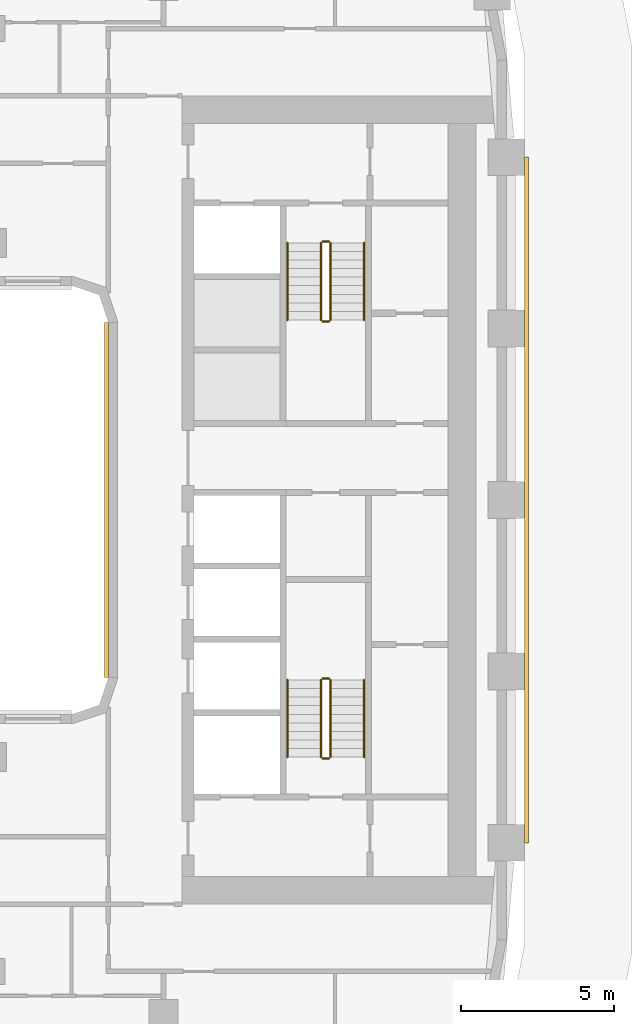
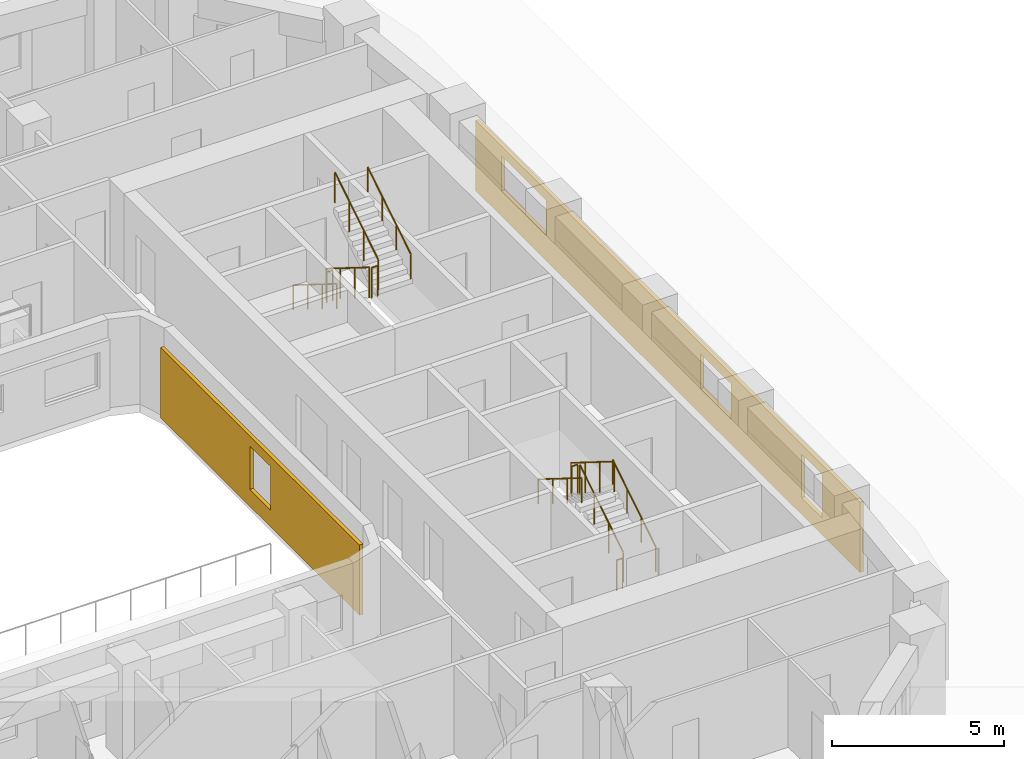
# One storey, part 16 of 18: 12 railings, 2 coverings.
"""IFC4 building model written with IfcOpenShell, lengths in metres."""

import ifcopenshell
import ifcopenshell.guid

model = None  # the IFC model being written
_history = None  # IfcOwnerHistory: only IFC2X3 demands one
_inside = {}  # id of a spatial element -> (the spatial element, [elements in it])
_under = {}  # id of a project, library or spatial element -> (it, [spatial elements below it])
_declared = {}  # id of a project -> (the project, [libraries it declares])
_typed = {}  # id of a type object -> (the type object, [elements of that type])
_made_of = {}  # id of a material, layer set ... -> (it, [elements and type objects made of it])


def new_model(schema):
    """Start an empty IFC model of exactly this schema.

    Asked for "IFC4X3", IfcOpenShell would pick the latest addendum, in which some entities
    have other attributes; the version numbers below select the first issue.
    IFC2X3 requires an IfcOwnerHistory on every rooted entity: one is made here for all.
    """
    global model, _history
    if schema == "IFC4X3":
        model = ifcopenshell.file(schema_version=(4, 3, 0, 0))
    else:
        model = ifcopenshell.file(schema=schema)
    _inside.clear()
    _under.clear()
    _declared.clear()
    _typed.clear()
    _made_of.clear()
    _history = None
    if model.schema == "IFC2X3":
        org = make("IfcOrganization", Name="unknown")
        user = make(
            "IfcPersonAndOrganization",
            ThePerson=make("IfcPerson", FamilyName="unknown"),
            TheOrganization=org,
        )
        app = make(
            "IfcApplication",
            ApplicationDeveloper=org,
            Version="unknown",
            ApplicationFullName="unknown",
            ApplicationIdentifier="unknown",
        )
        _history = make(
            "IfcOwnerHistory",
            OwningUser=user,
            OwningApplication=app,
            ChangeAction="ADDED",
            CreationDate=0,
        )
    return model


def make(cls, **values):
    """One entity of the class cls with the attributes given. An attribute that is None is left unset."""
    return model.create_entity(
        cls, **{name: value for name, value in values.items() if value is not None}
    )


def rooted(cls, **values):
    """An entity with a GlobalId (a new one), such as an element, a storey or a relation."""
    return make(cls, GlobalId=ifcopenshell.guid.new(), OwnerHistory=_history, **values)


def si_unit(unit_type, name, prefix=None):
    """IfcSIUnit, for example si_unit("LENGTHUNIT", "METRE", prefix="MILLI")."""
    return make("IfcSIUnit", UnitType=unit_type, Prefix=prefix, Name=name)


def assignment(units):
    """IfcUnitAssignment: the units of a project."""
    return None if units is None else make("IfcUnitAssignment", Units=units)


def point(xyz):
    """IfcCartesianPoint."""
    return None if xyz is None else make("IfcCartesianPoint", Coordinates=xyz)


def direction(xyz):
    """IfcDirection."""
    return None if xyz is None else make("IfcDirection", DirectionRatios=xyz)


def frame(location, z_axis=None, x_axis=None):
    """IfcAxis2Placement3D, a coordinate frame: its origin and axes. An axis left out is left unset."""
    return make(
        "IfcAxis2Placement3D",
        Location=point(location),
        Axis=direction(z_axis),
        RefDirection=direction(x_axis),
    )


def frame_2d(location, x_axis=None):
    """IfcAxis2Placement2D, a coordinate frame in the plane: its origin and x axis."""
    return make(
        "IfcAxis2Placement2D", Location=point(location), RefDirection=direction(x_axis)
    )


def origin():
    """The frame at (0, 0, 0) with its axes left unset."""
    return frame((0.0, 0.0, 0.0))


def origin_2d():
    """The frame at (0, 0) in the plane with its x axis left unset."""
    return frame_2d((0.0, 0.0))


def place(relative_to, where):
    """IfcLocalPlacement: puts the frame where relative to a parent placement (None: the world)."""
    return make(
        "IfcLocalPlacement", PlacementRelTo=relative_to, RelativePlacement=where
    )


def context(
    kind, dimensions, precision=None, world=None, true_north=None, identifier=None
):
    """IfcGeometricRepresentationContext, for example the 3D "Model" context."""
    return make(
        "IfcGeometricRepresentationContext",
        ContextIdentifier=identifier,
        ContextType=kind,
        CoordinateSpaceDimension=dimensions,
        Precision=precision,
        WorldCoordinateSystem=world,
        TrueNorth=true_north,
    )


def subcontext(parent, identifier, kind, view, scale=None):
    """IfcGeometricRepresentationSubContext, for example "Body" below "Model"."""
    return make(
        "IfcGeometricRepresentationSubContext",
        ContextIdentifier=identifier,
        ContextType=kind,
        ParentContext=parent,
        TargetScale=scale,
        TargetView=view,
    )


def project(units=None, contexts=None):
    """IfcProject with its units and contexts."""
    return rooted(
        "IfcProject",
        Name="project",
        RepresentationContexts=contexts,
        UnitsInContext=assignment(units),
    )


def spatial(cls, under=None, at=None, **own):
    """A site, building, storey or space (cls), placed at a placement, below another one or the project."""
    s = rooted(cls, ObjectPlacement=at, **own)
    if under is not None:
        _under.setdefault(under.id(), (under, []))[1].append(s)
    return s


def polyline(points):
    """IfcPolyline through the points."""
    return make("IfcPolyline", Points=[point(p) for p in points])


def profile(cls, at=None, kind="AREA", **sizes):
    """A parametric profile (cls). Its sizes go by their IFC names, for example OverallWidth=200.0."""
    return make(cls, ProfileType=kind, Position=at, **sizes)


def circle(**sizes):
    """IfcCircleProfileDef."""
    return profile("IfcCircleProfileDef", **sizes)


def outline(outer, holes=None, kind="AREA"):
    """IfcArbitraryClosedProfileDef: a profile drawn as a closed curve; with holes, ...WithVoids."""
    if holes is None:
        return make("IfcArbitraryClosedProfileDef", ProfileType=kind, OuterCurve=outer)
    return make(
        "IfcArbitraryProfileDefWithVoids",
        ProfileType=kind,
        OuterCurve=outer,
        InnerCurves=holes,
    )


def extrude(swept, where, along, depth):
    """IfcExtrudedAreaSolid: the profile swept, set in the frame where, extruded along a direction by depth."""
    return make(
        "IfcExtrudedAreaSolid",
        SweptArea=swept,
        Position=where,
        ExtrudedDirection=direction(along),
        Depth=depth,
    )


def shape(context_of_items, identifier, shape_type, items):
    """IfcShapeRepresentation: the items that make up one representation, for example the "Body"."""
    return make(
        "IfcShapeRepresentation",
        ContextOfItems=context_of_items,
        RepresentationIdentifier=identifier,
        RepresentationType=shape_type,
        Items=items,
    )


def material(Name=None, Category=None):
    """IfcMaterial."""
    return make("IfcMaterial", Name=Name, Category=Category)


def layer(
    of_material, thickness, ventilated=None, Name=None, Category=None, Priority=None
):
    """IfcMaterialLayer: one layer of a wall or slab, of a material (None: an air gap)."""
    return make(
        "IfcMaterialLayer",
        Material=of_material,
        LayerThickness=thickness,
        IsVentilated=ventilated,
        Name=Name,
        Category=Category,
        Priority=Priority,
    )


def layer_set(layers, Name=None):
    """IfcMaterialLayerSet."""
    return make("IfcMaterialLayerSet", MaterialLayers=layers, LayerSetName=Name)


def made_of(thing, what):
    """Note that an element or type object is made of a material, layer set ...; save() writes the relation."""
    if what is not None:
        _made_of.setdefault(what.id(), (what, []))[1].append(thing)
    return thing


def type_object(cls, material=None, **own):
    """A type object (cls), such as IfcWallType, which elements share."""
    return made_of(rooted(cls, **own), material)


def element(
    cls,
    number,
    at=None,
    inside=None,
    cuts=None,
    type_object=None,
    material=None,
    context=None,
    identifier="Body",
    shape_type=None,
    held_by="IfcProductDefinitionShape",
    body=None,
    shapes=None,
    **own,
):
    """One element of the class cls, such as IfcWall. Its Tag is "e" and its number.

    at: its placement. inside: the storey or other place that contains it. cuts: it is an
    opening in that element (IfcRelVoidsElement). A single representation is given by context,
    identifier, shape_type and body (its items); several are given by shapes. held_by: the class
    of the entity that holds the representations. save() writes the other relations.
    """
    e = rooted(cls, Tag="e%d" % number, ObjectPlacement=at, **own)
    if body is not None:
        shapes = [shape(context, identifier, shape_type, body)]
    if shapes is not None:
        e.Representation = make(held_by, Representations=shapes)
    if inside is not None:
        _inside.setdefault(inside.id(), (inside, []))[1].append(e)
    if cuts is not None:
        rooted(
            "IfcRelVoidsElement", RelatingBuildingElement=cuts, RelatedOpeningElement=e
        )
    if type_object is not None:
        _typed.setdefault(type_object.id(), (type_object, []))[1].append(e)
    return made_of(e, material)


def aggregate(whole, parts):
    """IfcRelAggregates: a whole, such as a stair, and the parts it consists of."""
    return rooted("IfcRelAggregates", RelatingObject=whole, RelatedObjects=parts)


def save(model, path):
    """Write the relations noted so far, then the file.

    IfcRelAggregates (storeys below a building ...), IfcRelContainedInSpatialStructure (elements
    in a storey), IfcRelDefinesByType, IfcRelAssociatesMaterial and IfcRelDeclares: one each for
    every whole, place, type object, material and project.
    """
    for whole, parts in _under.values():
        aggregate(whole, parts)
    for where, things in _inside.values():
        rooted(
            "IfcRelContainedInSpatialStructure",
            RelatedElements=things,
            RelatingStructure=where,
        )
    for kind, things in _typed.values():
        rooted("IfcRelDefinesByType", RelatedObjects=things, RelatingType=kind)
    for what, things in _made_of.values():
        rooted("IfcRelAssociatesMaterial", RelatedObjects=things, RelatingMaterial=what)
    for by, libraries in _declared.values():
        rooted("IfcRelDeclares", RelatingContext=by, RelatedDefinitions=libraries)
    model.write(path)


model = new_model("IFC4")

# Units and contexts
model_context = context("Model", 3, precision=1e-05, world=origin(), true_north=direction((0.0, 1.0)))
body_context = subcontext(model_context, "Body", "Model", "MODEL_VIEW")
ifc_project = project(units=[si_unit("LENGTHUNIT", "METRE"), si_unit("AREAUNIT", "SQUARE_METRE"), si_unit("VOLUMEUNIT", "CUBIC_METRE"), si_unit("PLANEANGLEUNIT", "RADIAN"), si_unit("MASSUNIT", "GRAM", prefix="KILO")], contexts=[model_context])

# Site, building, storey
site_placement = place(None, origin())
site = spatial("IfcSite", under=ifc_project, at=site_placement, CompositionType="ELEMENT")
building_placement = place(site_placement, origin())
building = spatial("IfcBuilding", under=site, at=building_placement, Name="Kiln Ring Residences", CompositionType="ELEMENT")
storey_placement = place(building_placement, frame((0.0, 0.0, 121.800048828125)))
storey = spatial("IfcBuildingStorey", under=building, at=storey_placement, Name="L31", CompositionType="ELEMENT", Elevation=121.800048828125)

# Railings
ifc_material_1 = material(Name="Stainless steel", Category="steel")
railing_type_1 = type_object("IfcRailingType", Name="CORE-STAIR-GUARD", PredefinedType="GUARDRAIL", material=ifc_material_1)
railing_1_placement = place(storey_placement, frame((21.949951171875, 8.39990234375, 0.175048828125)))
element("IfcRailing", 1, at=railing_1_placement, inside=storey, type_object=railing_type_1, Name="L31 E-STN stair guard 1", PredefinedType="GUARDRAIL", context=body_context, shape_type="SweptSolid", body=[
    extrude(circle(Radius=0.02392578125, at=origin_2d()), frame((0.0, 0.0, 1.076171875), z_axis=(0.0, -0.848007534815, 0.529984170421), x_axis=(1.0, 0.0, 0.0)), (0.0, 0.0, 1.0), 2.9716796875),
    extrude(circle(Radius=0.02099609375, at=origin_2d()), origin(), (0.0, 0.0, 1.0), 1.052001953125),
    extrude(circle(Radius=0.02099609375, at=origin_2d()), frame((0.0, -0.840087890625, 0.52490234375)), (0.0, 0.0, 1.0), 1.052001953125),
    extrude(circle(Radius=0.02099609375, at=origin_2d()), frame((0.0, -1.679931640625, 1.050048828125)), (0.0, 0.0, 1.0), 1.052001953125),
    extrude(circle(Radius=0.02099609375, at=origin_2d()), frame((0.0, -2.52001953125, 1.574951171875)), (0.0, 0.0, 1.0), 1.052001953125),
])
railing_2_placement = place(storey_placement, frame((22.0, 5.830078125, 1.75)))
element("IfcRailing", 2, at=railing_2_placement, inside=storey, type_object=railing_type_1, Name="L31 E-STN stair guard 2", PredefinedType="GUARDRAIL", context=body_context, shape_type="SweptSolid", body=[
    extrude(circle(Radius=0.02392578125, at=origin_2d()), frame((0.0, 0.0, 1.076171875), z_axis=(1.0, 0.0, 0.0), x_axis=(0.0, 1.0, 0.0)), (0.0, 0.0, 1.0), 0.199951171875),
    extrude(circle(Radius=0.02099609375, at=origin_2d()), origin(), (0.0, 0.0, 1.0), 1.052001953125),
    extrude(circle(Radius=0.02099609375, at=origin_2d()), frame((0.199951171875, 0.0, 0.0)), (0.0, 0.0, 1.0), 1.052001953125),
])
railing_3_placement = place(storey_placement, frame((22.25, 5.8798828125, 1.925048828125)))
element("IfcRailing", 3, at=railing_3_placement, inside=storey, type_object=railing_type_1, Name="L31 E-STN stair guard 3", PredefinedType="GUARDRAIL", context=body_context, shape_type="SweptSolid", body=[
    extrude(circle(Radius=0.02392578125, at=origin_2d()), frame((0.0, 0.0, 1.076171875), z_axis=(0.0, 0.848007534815, 0.529984170421), x_axis=(-1.0, 0.0, 0.0)), (0.0, 0.0, 1.0), 2.9716796875),
    extrude(circle(Radius=0.02099609375, at=origin_2d()), origin(), (0.0, 0.0, 1.0), 1.052001953125),
    extrude(circle(Radius=0.02099609375, at=origin_2d()), frame((0.0, 0.840087890625, 0.52490234375)), (0.0, 0.0, 1.0), 1.052001953125),
    extrude(circle(Radius=0.02099609375, at=origin_2d()), frame((0.0, 1.679931640625, 1.050048828125)), (0.0, 0.0, 1.0), 1.052001953125),
    extrude(circle(Radius=0.02099609375, at=origin_2d()), frame((0.0, 2.52001953125, 1.574951171875)), (0.0, 0.0, 1.0), 1.052001953125),
])
railing_4_placement = place(storey_placement, frame((22.0, 8.449951171875, 0.0)))
element("IfcRailing", 4, at=railing_4_placement, inside=storey, type_object=railing_type_1, Name="L31 E-STN stair guard 4", PredefinedType="GUARDRAIL", context=body_context, shape_type="SweptSolid", body=[
    extrude(circle(Radius=0.02392578125, at=origin_2d()), frame((0.0, 0.0, 1.076171875), z_axis=(1.0, 0.0, 0.0), x_axis=(0.0, 1.0, 0.0)), (0.0, 0.0, 1.0), 0.199951171875),
    extrude(circle(Radius=0.02099609375, at=origin_2d()), origin(), (0.0, 0.0, 1.0), 1.052001953125),
    extrude(circle(Radius=0.02099609375, at=origin_2d()), frame((0.199951171875, 0.0, 0.0)), (0.0, 0.0, 1.0), 1.052001953125),
])
railing_5_placement = place(storey_placement, frame((22.25, -8.39990234375, 0.175048828125)))
element("IfcRailing", 5, at=railing_5_placement, inside=storey, type_object=railing_type_1, Name="L31 E-STS stair guard 1", PredefinedType="GUARDRAIL", context=body_context, shape_type="SweptSolid", body=[
    extrude(circle(Radius=0.02392578125, at=origin_2d()), frame((0.0, 0.0, 1.076171875), z_axis=(0.0, 0.848007534815, 0.529984170421), x_axis=(-1.0, 0.0, 0.0)), (0.0, 0.0, 1.0), 2.9716796875),
    extrude(circle(Radius=0.02099609375, at=origin_2d()), origin(), (0.0, 0.0, 1.0), 1.052001953125),
    extrude(circle(Radius=0.02099609375, at=origin_2d()), frame((0.0, 0.840087890625, 0.52490234375)), (0.0, 0.0, 1.0), 1.052001953125),
    extrude(circle(Radius=0.02099609375, at=origin_2d()), frame((0.0, 1.679931640625, 1.050048828125)), (0.0, 0.0, 1.0), 1.052001953125),
    extrude(circle(Radius=0.02099609375, at=origin_2d()), frame((0.0, 2.52001953125, 1.574951171875)), (0.0, 0.0, 1.0), 1.052001953125),
])
railing_6_placement = place(storey_placement, frame((22.199951171875, -5.830078125, 1.75)))
element("IfcRailing", 6, at=railing_6_placement, inside=storey, type_object=railing_type_1, Name="L31 E-STS stair guard 2", PredefinedType="GUARDRAIL", context=body_context, shape_type="SweptSolid", body=[
    extrude(circle(Radius=0.02392578125, at=origin_2d()), frame((0.0, 0.0, 1.076171875), z_axis=(-1.0, 0.0, 0.0), x_axis=(0.0, -1.0, 0.0)), (0.0, 0.0, 1.0), 0.199951171875),
    extrude(circle(Radius=0.02099609375, at=origin_2d()), origin(), (0.0, 0.0, 1.0), 1.052001953125),
    extrude(circle(Radius=0.02099609375, at=origin_2d()), frame((-0.199951171875, 0.0, 0.0)), (0.0, 0.0, 1.0), 1.052001953125),
])
railing_7_placement = place(storey_placement, frame((21.949951171875, -5.8798828125, 1.925048828125)))
element("IfcRailing", 7, at=railing_7_placement, inside=storey, type_object=railing_type_1, Name="L31 E-STS stair guard 3", PredefinedType="GUARDRAIL", context=body_context, shape_type="SweptSolid", body=[
    extrude(circle(Radius=0.02392578125, at=origin_2d()), frame((0.0, 0.0, 1.076171875), z_axis=(0.0, -0.848007534815, 0.529984170421), x_axis=(1.0, 0.0, 0.0)), (0.0, 0.0, 1.0), 2.9716796875),
    extrude(circle(Radius=0.02099609375, at=origin_2d()), origin(), (0.0, 0.0, 1.0), 1.052001953125),
    extrude(circle(Radius=0.02099609375, at=origin_2d()), frame((0.0, -0.840087890625, 0.52490234375)), (0.0, 0.0, 1.0), 1.052001953125),
    extrude(circle(Radius=0.02099609375, at=origin_2d()), frame((0.0, -1.679931640625, 1.050048828125)), (0.0, 0.0, 1.0), 1.052001953125),
    extrude(circle(Radius=0.02099609375, at=origin_2d()), frame((0.0, -2.52001953125, 1.574951171875)), (0.0, 0.0, 1.0), 1.052001953125),
])
railing_8_placement = place(storey_placement, frame((22.199951171875, -8.449951171875, 0.0)))
element("IfcRailing", 8, at=railing_8_placement, inside=storey, type_object=railing_type_1, Name="L31 E-STS stair guard 4", PredefinedType="GUARDRAIL", context=body_context, shape_type="SweptSolid", body=[
    extrude(circle(Radius=0.02392578125, at=origin_2d()), frame((0.0, 0.0, 1.076171875), z_axis=(-1.0, 0.0, 0.0), x_axis=(0.0, -1.0, 0.0)), (0.0, 0.0, 1.0), 0.199951171875),
    extrude(circle(Radius=0.02099609375, at=origin_2d()), origin(), (0.0, 0.0, 1.0), 1.052001953125),
    extrude(circle(Radius=0.02099609375, at=origin_2d()), frame((-0.199951171875, 0.0, 0.0)), (0.0, 0.0, 1.0), 1.052001953125),
])
ifc_material_2 = material(Name="Stainless steel", Category="steel")
railing_type_2 = type_object("IfcRailingType", Name="CORE-STAIR-HANDRAIL", PredefinedType="HANDRAIL", material=ifc_material_2)
railing_9_placement = place(storey_placement, frame((20.85009765625, 8.39990234375, 0.175048828125)))
element("IfcRailing", 9, at=railing_9_placement, inside=storey, type_object=railing_type_2, Name="L31 E-STN stair handrail 1", PredefinedType="HANDRAIL", context=body_context, shape_type="SweptSolid", body=[
    extrude(circle(Radius=0.02392578125, at=origin_2d()), frame((0.0, 0.0, 0.8759765625), z_axis=(0.0, -0.848007534815, 0.529984170421), x_axis=(1.0, 0.0, 0.0)), (0.0, 0.0, 1.0), 2.9716796875),
    extrude(circle(Radius=0.02099609375, at=origin_2d()), origin(), (0.0, 0.0, 1.0), 0.851806640625),
    extrude(circle(Radius=0.02099609375, at=origin_2d()), frame((0.0, -0.840087890625, 0.52490234375)), (0.0, 0.0, 1.0), 0.851806640625),
    extrude(circle(Radius=0.02099609375, at=origin_2d()), frame((0.0, -1.679931640625, 1.050048828125)), (0.0, 0.0, 1.0), 0.851806640625),
    extrude(circle(Radius=0.02099609375, at=origin_2d()), frame((0.0, -2.52001953125, 1.574951171875)), (0.0, 0.0, 1.0), 0.851806640625),
])
for number, where, name in (
    (10, (23.35009765625, 5.8798828125, 1.925048828125), "L31 E-STN stair handrail 2"),
    (11, (23.35009765625, -8.39990234375, 0.175048828125), "L31 E-STS stair handrail 1"),
):
    element("IfcRailing", number, at=place(storey_placement, frame(where)), inside=storey, type_object=railing_type_2, Name=name, PredefinedType="HANDRAIL", context=body_context, shape_type="SweptSolid", body=[
        extrude(circle(Radius=0.02392578125, at=origin_2d()), frame((0.0, 0.0, 0.8759765625), z_axis=(0.0, 0.848007534815, 0.529984170421), x_axis=(-1.0, 0.0, 0.0)), (0.0, 0.0, 1.0), 2.9716796875),
        extrude(circle(Radius=0.02099609375, at=origin_2d()), origin(), (0.0, 0.0, 1.0), 0.851806640625),
        extrude(circle(Radius=0.02099609375, at=origin_2d()), frame((0.0, 0.840087890625, 0.52490234375)), (0.0, 0.0, 1.0), 0.851806640625),
        extrude(circle(Radius=0.02099609375, at=origin_2d()), frame((0.0, 1.679931640625, 1.050048828125)), (0.0, 0.0, 1.0), 0.851806640625),
        extrude(circle(Radius=0.02099609375, at=origin_2d()), frame((0.0, 2.52001953125, 1.574951171875)), (0.0, 0.0, 1.0), 0.851806640625),
    ])
railing_10_placement = place(storey_placement, frame((20.85009765625, -5.8798828125, 1.925048828125)))
element("IfcRailing", 12, at=railing_10_placement, inside=storey, type_object=railing_type_2, Name="L31 E-STS stair handrail 2", PredefinedType="HANDRAIL", context=body_context, shape_type="SweptSolid", body=[
    extrude(circle(Radius=0.02392578125, at=origin_2d()), frame((0.0, 0.0, 0.8759765625), z_axis=(0.0, -0.848007534815, 0.529984170421), x_axis=(1.0, 0.0, 0.0)), (0.0, 0.0, 1.0), 2.9716796875),
    extrude(circle(Radius=0.02099609375, at=origin_2d()), origin(), (0.0, 0.0, 1.0), 0.851806640625),
    extrude(circle(Radius=0.02099609375, at=origin_2d()), frame((0.0, -0.840087890625, 0.52490234375)), (0.0, 0.0, 1.0), 0.851806640625),
    extrude(circle(Radius=0.02099609375, at=origin_2d()), frame((0.0, -1.679931640625, 1.050048828125)), (0.0, 0.0, 1.0), 0.851806640625),
    extrude(circle(Radius=0.02099609375, at=origin_2d()), frame((0.0, -2.52001953125, 1.574951171875)), (0.0, 0.0, 1.0), 0.851806640625),
])

# Coverings
ifc_material_3 = material(Name="Brick masonry, dark clay brick", Category="masonry")
ifc_layer = layer(ifc_material_3, 0.1201171875)
ifc_layer_set = layer_set([ifc_layer], Name="RAINSCREEN PANEL 120")
covering_type = type_object("IfcCoveringType", Name="RAINSCREEN PANEL 120", PredefinedType="CLADDING", material=ifc_layer_set)
covering_1_placement = place(storey_placement, frame((28.659912109375, -11.199951171875, 0.0), z_axis=(0.0, 0.0, 1.0), x_axis=(0.0, 1.0, 0.0)))
element("IfcCovering", 13, at=covering_1_placement, inside=storey, type_object=covering_type, Name="RAINSCREEN L31", PredefinedType="CLADDING", context=body_context, shape_type="SweptSolid", body=[
    extrude(outline(polyline([(0.0, 0.0), (22.39990234375, 0.0), (22.39990234375, 2.5), (0.0, 2.5), (0.0, 0.0)]), holes=[polyline([(3.39990234375, 2.14990234375), (2.199951171875, 2.14990234375), (2.199951171875, 0.599853515625), (3.39990234375, 0.599853515625), (3.39990234375, 2.14990234375)]), polyline([(9.300048828125, 0.89990234375), (9.300048828125, 2.14990234375), (7.5, 2.14990234375), (7.5, 0.89990234375), (9.300048828125, 0.89990234375)]), polyline([(20.89990234375, 0.89990234375), (20.89990234375, 2.14990234375), (18.300048828125, 2.14990234375), (18.300048828125, 0.89990234375), (20.89990234375, 0.89990234375)])]), frame((0.0, 0.06005859375, 0.0), z_axis=(0.0, -1.0, 0.0), x_axis=(1.0, 0.0, 0.0)), (0.0, 0.0, 1.0), 0.1201171875),
])
covering_2_placement = place(storey_placement, frame((14.93994140625, 5.800048828125, 0.0), z_axis=(0.0, 0.0, 1.0), x_axis=(0.0, -1.0, 0.0)))
element("IfcCovering", 14, at=covering_2_placement, inside=storey, type_object=covering_type, Name="RAINSCREEN L31", PredefinedType="CLADDING", context=body_context, shape_type="SweptSolid", body=[
    extrude(outline(polyline([(0.0, 0.0), (11.60009765625, 0.0), (11.60009765625, 2.5), (0.0, 2.5), (0.0, 0.0)]), holes=[polyline([(5.199951171875, 2.14990234375), (5.199951171875, 0.599853515625), (6.39990234375, 0.599853515625), (6.39990234375, 2.14990234375), (5.199951171875, 2.14990234375)])]), frame((0.0, 0.06005859375, 0.0), z_axis=(0.0, -1.0, 0.0), x_axis=(1.0, 0.0, 0.0)), (0.0, 0.0, 1.0), 0.1201171875),
])

save(model, "model.ifc")
